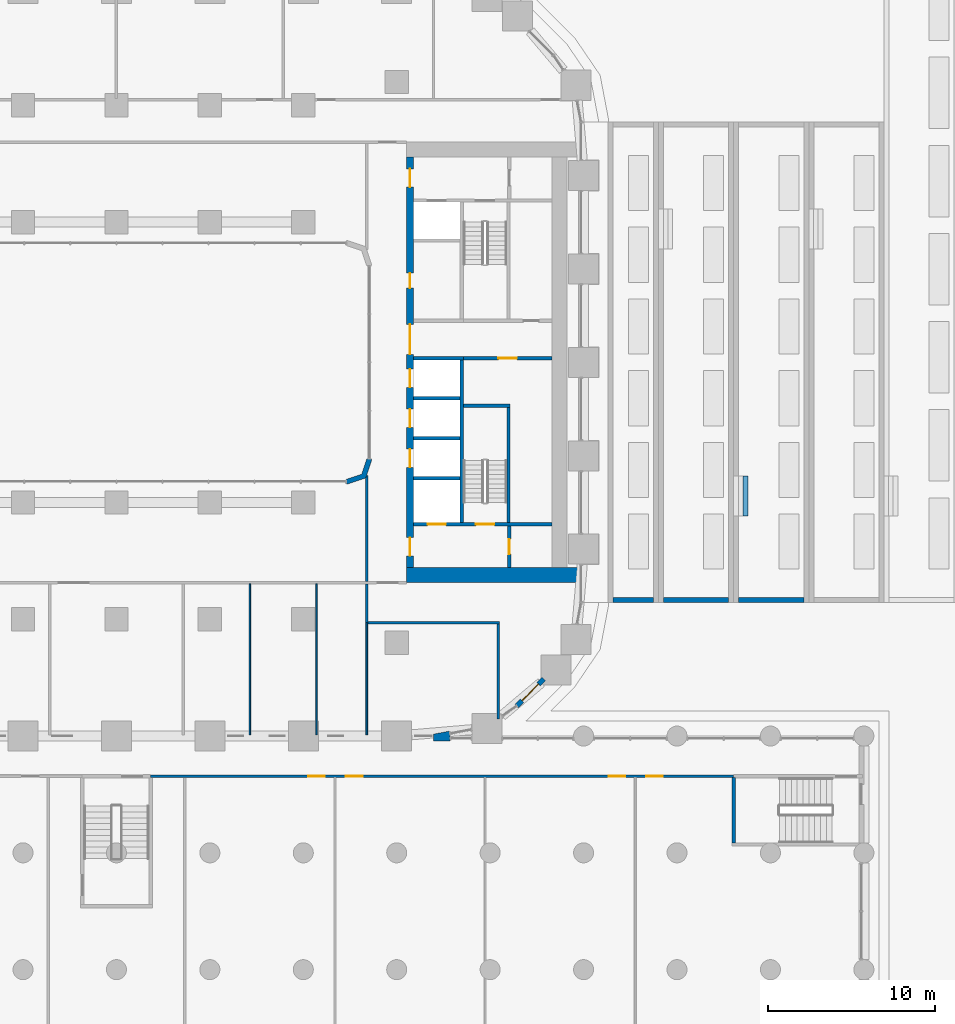
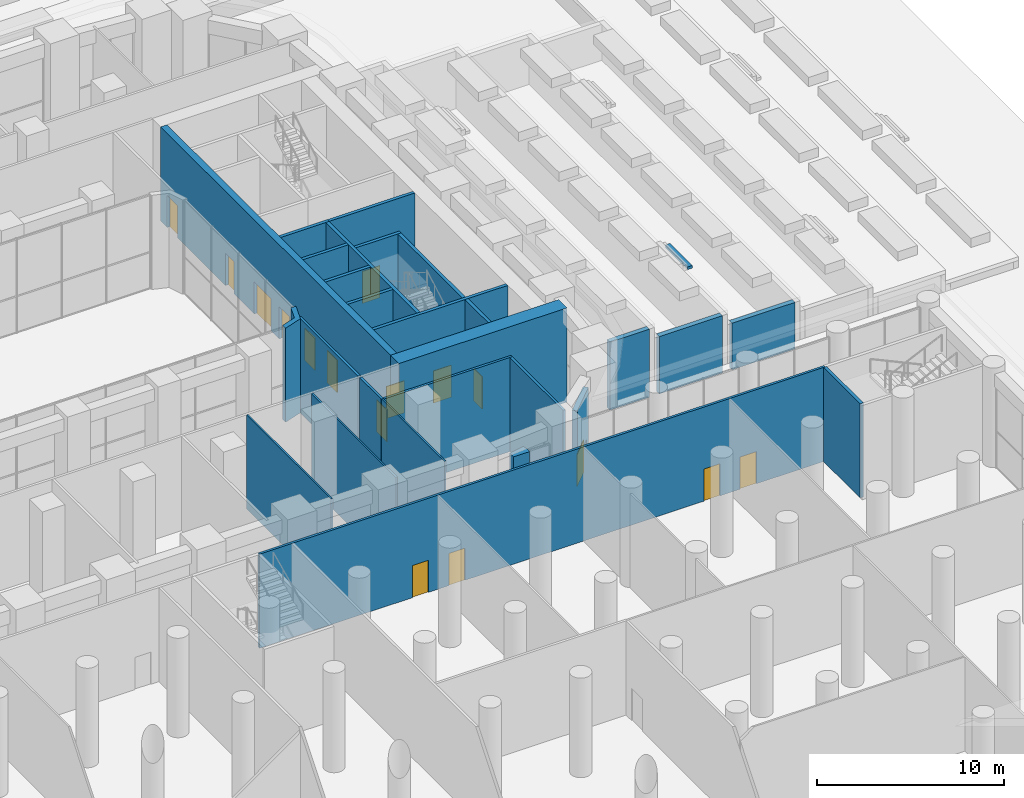
# One storey, part 37 of 51: 28 walls, 16 doors, 16 openings.
"""IFC4 building model written with IfcOpenShell, lengths in metres."""

from ifc_helpers import new_model, si_unit, direction, frame, frame_2d, origin, place, context, subcontext, project, spatial, polyline, rectangle, outline, extrude, material, layer, layer_set, type_object, element, fill, save


model = new_model("IFC4")

# Units and contexts
model_context = context("Model", 3, precision=1e-05, world=origin(), true_north=direction((0.0, 1.0)))
body_context = subcontext(model_context, "Body", "Model", "MODEL_VIEW")
ifc_project = project(units=[si_unit("LENGTHUNIT", "METRE"), si_unit("AREAUNIT", "SQUARE_METRE"), si_unit("VOLUMEUNIT", "CUBIC_METRE"), si_unit("PLANEANGLEUNIT", "RADIAN"), si_unit("MASSUNIT", "GRAM", prefix="KILO")], contexts=[model_context])

# Site, building, storey
site_placement = place(None, origin())
site = spatial("IfcSite", under=ifc_project, at=site_placement, CompositionType="ELEMENT")
building_placement = place(site_placement, origin())
building = spatial("IfcBuilding", under=site, at=building_placement, Name="Kiln Ring Residences", CompositionType="ELEMENT")
storey_placement = place(building_placement, origin())
storey = spatial("IfcBuildingStorey", under=building, at=storey_placement, Name="L00", CompositionType="ELEMENT", Elevation=0.0)

# Wall, opening, door
ifc_material_1 = material(Name="Gypsum board on steel studs", Category="steel")
ifc_layer_1 = layer(ifc_material_1, 0.199951171875)
ifc_layer_set_1 = layer_set([ifc_layer_1], Name="CORE-PARTITION-200")
wall_type_1 = type_object("IfcWallType", Name="CORE-PARTITION-200", PredefinedType="PARTITIONING", material=ifc_layer_set_1)
wall_1_placement = place(storey_placement, frame((20.800048828125, 0.25, 0.0), z_axis=(0.0, 0.0, 1.0), x_axis=(1.0, 0.0, 0.0)))
wall_1 = element("IfcWall", 1, at=wall_1_placement, inside=storey, type_object=wall_type_1, Name="Core partition east L00 1", PredefinedType="PARTITIONING", context=body_context, shape_type="SweptSolid", body=[
    extrude(rectangle(XDim=5.300048828125, YDim=0.199951171875, at=frame_2d((2.64990234375, 0.0))), origin(), (0.0, 0.0, 1.0), 6.14990234375),
])
opening_1_placement = place(wall_1_placement, frame((2.10009765625, 0.0, 0.0)))
opening_1 = element("IfcOpeningElement", 2, at=opening_1_placement, cuts=wall_1, Name="Opening L00-CE14", PredefinedType="OPENING", context=body_context, shape_type="SweptSolid", body=[
    extrude(rectangle(XDim=1.10009765625, YDim=2.10009765625, at=frame_2d((0.550048828125, 1.050048828125))), frame((0.0, 0.10986328125, 0.0), z_axis=(0.0, -1.0, 0.0), x_axis=(1.0, 0.0, 0.0)), (0.0, 0.0, 1.0), 0.219970703125),
])
ifc_material_2 = material(Name="Steel door leaf", Category="steel")
door_type_1 = type_object("IfcDoorType", Name="CORE-DOOR-ROOM", OperationType="SINGLE_SWING_LEFT", PredefinedType="DOOR", material=ifc_material_2)
door_1_placement = place(opening_1_placement, origin())
door_1 = element("IfcDoor", 3, at=door_1_placement, inside=storey, type_object=door_type_1, Name="Fire command and control room L00-CE14", OperationType="SINGLE_SWING_LEFT", OverallHeight=2.10009765625, OverallWidth=1.10009765625, PredefinedType="DOOR", context=body_context, shape_type="SweptSolid", body=[
    extrude(rectangle(XDim=1.10009765625, YDim=2.10009765625, at=frame_2d((0.550048828125, 1.050048828125))), frame((0.0, 0.02490234375, 0.0), z_axis=(0.0, -1.0, 0.0), x_axis=(1.0, 0.0, 0.0)), (0.0, 0.0, 1.0), 0.050048828125),
])
fill(opening_1, door_1)

wall_2_placement = place(storey_placement, frame((23.550048828125, -12.300048828125, 0.0), z_axis=(0.0, 0.0, 1.0), x_axis=(0.0, 1.0, 0.0)))
wall_2 = element("IfcWall", 4, at=wall_2_placement, inside=storey, type_object=wall_type_1, Name="Core partition east L00 3", PredefinedType="PARTITIONING", context=body_context, shape_type="SweptSolid", body=[
    extrude(rectangle(XDim=2.5, YDim=0.199951171875, at=frame_2d((1.25, 0.0))), origin(), (0.0, 0.0, 1.0), 6.14990234375),
])
opening_2_placement = place(wall_2_placement, frame((0.800048828125, 0.0, 0.0)))
opening_2 = element("IfcOpeningElement", 5, at=opening_2_placement, cuts=wall_2, Name="Opening L00-CE10", PredefinedType="OPENING", context=body_context, shape_type="SweptSolid", body=[
    extrude(rectangle(XDim=0.89990234375, YDim=2.10009765625, at=frame_2d((0.449951171875, 1.050048828125))), frame((0.0, 0.10986328125, 0.0), z_axis=(0.0, -1.0, 0.0), x_axis=(1.0, 0.0, 0.0)), (0.0, 0.0, 1.0), 0.219970703125),
])
door_2_placement = place(opening_2_placement, origin())
door_2 = element("IfcDoor", 6, at=door_2_placement, inside=storey, type_object=door_type_1, Name="Store L00-CE10", OperationType="SINGLE_SWING_LEFT", OverallHeight=2.10009765625, OverallWidth=0.89990234375, PredefinedType="DOOR", context=body_context, shape_type="SweptSolid", body=[
    extrude(rectangle(XDim=0.89990234375, YDim=2.10009765625, at=frame_2d((0.449951171875, 1.050048828125))), frame((0.0, 0.02490234375, 0.0), z_axis=(0.0, -1.0, 0.0), x_axis=(1.0, 0.0, 0.0)), (0.0, 0.0, 1.0), 0.050048828125),
])
fill(opening_2, door_2)

# Walls
ifc_material_3 = material(Name="Gypsum shaft wall system")
ifc_layer_2 = layer(ifc_material_3, 0.199951171875)
ifc_layer_set_2 = layer_set([ifc_layer_2], Name="CORE-SHAFT-WALL-200")
wall_type_2 = type_object("IfcWallType", Name="CORE-SHAFT-WALL-200", PredefinedType="PARTITIONING", material=ifc_layer_set_2)
for number, where, z_axis, x_axis, name in (
    (7, (17.800048828125, -6.949951171875, 0.0), (0.0, 0.0, 1.0), (1.0, 0.0, 0.0), "Core partition east L00 4"),
    (8, (17.800048828125, -4.550048828125, 0.0), (0.0, 0.0, 1.0), (1.0, 0.0, 0.0), "Core partition east L00 5"),
    (9, (17.800048828125, -2.14990234375, 0.0), (0.0, 0.0, 1.0), (1.0, 0.0, 0.0), "Core partition east L00 6"),
):
    element("IfcWall", number, at=place(storey_placement, frame(where, z_axis=z_axis, x_axis=x_axis)), inside=storey, type_object=wall_type_2, Name=name, PredefinedType="PARTITIONING", context=body_context, shape_type="SweptSolid", body=[
        extrude(rectangle(XDim=2.800048828125, YDim=0.199951171875, at=frame_2d((1.39990234375, 0.0))), origin(), (0.0, 0.0, 1.0), 6.14990234375),
    ])
wall_3_placement = place(storey_placement, frame((17.800048828125, 0.25, 0.0), z_axis=(0.0, 0.0, 1.0), x_axis=(1.0, 0.0, 0.0)))
element("IfcWall", 10, at=wall_3_placement, inside=storey, type_object=wall_type_2, Name="Core partition east L00 7", PredefinedType="PARTITIONING", context=body_context, shape_type="SweptSolid", body=[
    extrude(rectangle(XDim=3.0, YDim=0.199951171875, at=frame_2d((1.5, 0.0))), origin(), (0.0, 0.0, 1.0), 6.14990234375),
])
ifc_material_4 = material(Name="Concrete C40/50", Category="concrete")
ifc_layer_3 = layer(ifc_material_4, 0.199951171875)
ifc_layer_set_3 = layer_set([ifc_layer_3], Name="CORE-WALL-RC200")
wall_type_3 = type_object("IfcWallType", Name="CORE-WALL-RC200", PredefinedType="SHEAR", material=ifc_layer_set_3)
wall_4_placement = place(storey_placement, frame((20.699951171875, -9.60009765625, 0.0), z_axis=(0.0, 0.0, 1.0), x_axis=(0.0, 1.0, 0.0)))
element("IfcWall", 11, at=wall_4_placement, inside=storey, type_object=wall_type_3, Name="Core wall east L00 2", PredefinedType="SHEAR", context=body_context, shape_type="SweptSolid", body=[
    extrude(rectangle(XDim=9.75, YDim=0.199951171875, at=frame_2d((4.875, 0.0))), origin(), (0.0, 0.0, 1.0), 6.14990234375),
])

# Wall, openings, doors
wall_5_placement = place(storey_placement, frame((17.800048828125, -9.699951171875, 0.0), z_axis=(0.0, 0.0, 1.0), x_axis=(1.0, 0.0, 0.0)))
wall_5 = element("IfcWall", 12, at=wall_5_placement, inside=storey, type_object=wall_type_3, Name="Core wall east L00 8", PredefinedType="SHEAR", context=body_context, shape_type="SweptSolid", body=[
    extrude(rectangle(XDim=8.300048828125, YDim=0.199951171875, at=frame_2d((4.14990234375, 0.0))), origin(), (0.0, 0.0, 1.0), 6.14990234375),
])
opening_3_placement = place(wall_5_placement, frame((0.85009765625, 0.0, 0.0)))
opening_3 = element("IfcOpeningElement", 13, at=opening_3_placement, cuts=wall_5, Name="Opening L00-CE01", PredefinedType="OPENING", context=body_context, shape_type="SweptSolid", body=[
    extrude(rectangle(XDim=1.10009765625, YDim=2.10009765625, at=frame_2d((0.550048828125, 1.050048828125))), frame((0.0, 0.10986328125, 0.0), z_axis=(0.0, -1.0, 0.0), x_axis=(1.0, 0.0, 0.0)), (0.0, 0.0, 1.0), 0.219970703125),
])
opening_4_placement = place(wall_5_placement, frame((3.75, 0.0, 0.0)))
opening_4 = element("IfcOpeningElement", 14, at=opening_4_placement, cuts=wall_5, Name="Opening L00-CE12", PredefinedType="OPENING", context=body_context, shape_type="SweptSolid", body=[
    extrude(rectangle(XDim=1.10009765625, YDim=2.10009765625, at=frame_2d((0.550048828125, 1.050048828125))), frame((0.0, 0.10986328125, 0.0), z_axis=(0.0, -1.0, 0.0), x_axis=(1.0, 0.0, 0.0)), (0.0, 0.0, 1.0), 0.219970703125),
])
ifc_material_5 = material(Name="Steel door leaf", Category="steel")
door_type_2 = type_object("IfcDoorType", Name="CORE-DOOR-LD", OperationType="DOUBLE_DOOR_SLIDING", PredefinedType="DOOR", material=ifc_material_5)
door_3_placement = place(opening_3_placement, origin())
door_3 = element("IfcDoor", 15, at=door_3_placement, inside=storey, type_object=door_type_2, Name="LD E-SV L00-CE01", OperationType="DOUBLE_DOOR_SLIDING", OverallHeight=2.10009765625, OverallWidth=1.10009765625, PredefinedType="DOOR", context=body_context, shape_type="SweptSolid", body=[
    extrude(rectangle(XDim=1.10009765625, YDim=2.10009765625, at=frame_2d((0.550048828125, 1.050048828125))), frame((0.0, 0.02490234375, 0.0), z_axis=(0.0, -1.0, 0.0), x_axis=(1.0, 0.0, 0.0)), (0.0, 0.0, 1.0), 0.050048828125),
])
fill(opening_3, door_3)
ifc_material_6 = material(Name="Steel door leaf", Category="steel")
door_type_3 = type_object("IfcDoorType", Name="CORE-DOOR-STAIR", OperationType="SINGLE_SWING_LEFT", PredefinedType="DOOR", material=ifc_material_6)
door_4_placement = place(opening_4_placement, origin())
door_4 = element("IfcDoor", 16, at=door_4_placement, inside=storey, type_object=door_type_3, Name="Stair E-STS L00-CE12", OperationType="SINGLE_SWING_RIGHT", OverallHeight=2.10009765625, OverallWidth=1.10009765625, PredefinedType="DOOR", context=body_context, shape_type="SweptSolid", body=[
    extrude(rectangle(XDim=1.10009765625, YDim=2.10009765625, at=frame_2d((0.550048828125, 1.050048828125))), frame((0.0, 0.02490234375, 0.0), z_axis=(0.0, -1.0, 0.0), x_axis=(1.0, 0.0, 0.0)), (0.0, 0.0, 1.0), 0.050048828125),
])
fill(opening_4, door_4)

# Walls
wall_6_placement = place(storey_placement, frame((23.5, -9.60009765625, 0.0), z_axis=(0.0, 0.0, 1.0), x_axis=(0.0, 1.0, 0.0)))
element("IfcWall", 17, at=wall_6_placement, inside=storey, type_object=wall_type_3, Name="Core wall east L00 11", PredefinedType="SHEAR", context=body_context, shape_type="SweptSolid", body=[
    extrude(rectangle(XDim=6.900146484375, YDim=0.199951171875, at=frame_2d((3.4501953125, 0.0))), origin(), (0.0, 0.0, 1.0), 6.14990234375),
])
wall_7_placement = place(storey_placement, frame((20.800048828125, -2.60009765625, 0.0), z_axis=(0.0, 0.0, 1.0), x_axis=(1.0, 0.0, 0.0)))
element("IfcWall", 18, at=wall_7_placement, inside=storey, type_object=wall_type_3, Name="Core wall east L00 12", PredefinedType="SHEAR", context=body_context, shape_type="SweptSolid", body=[
    extrude(rectangle(XDim=2.800048828125, YDim=0.199951171875, at=frame_2d((1.39990234375, 0.0))), origin(), (0.0, 0.0, 1.0), 6.14990234375),
])

# Wall, openings, doors
ifc_material_7 = material(Name="Concrete C60/75", Category="concrete")
ifc_layer_4 = layer(ifc_material_7, 0.39990234375)
ifc_layer_set_4 = layer_set([ifc_layer_4], Name="CORE-WALL-RC400")
wall_type_4 = type_object("IfcWallType", Name="CORE-WALL-RC400", PredefinedType="SHEAR", material=ifc_layer_set_4)
wall_8_placement = place(storey_placement, frame((17.60009765625, -12.300048828125, 0.0), z_axis=(0.0, 0.0, 1.0), x_axis=(0.0, 1.0, 0.0)))
wall_8 = element("IfcWall", 19, at=wall_8_placement, inside=storey, type_object=wall_type_4, Name="Core wall east L00 6", PredefinedType="SHEAR", context=body_context, shape_type="SweptSolid", body=[
    extrude(rectangle(XDim=24.60009765625, YDim=0.39990234375, at=frame_2d((12.300048828125, 0.0))), origin(), (0.0, 0.0, 1.0), 6.14990234375),
])
opening_5_placement = place(wall_8_placement, frame((6.0, 0.0, 0.0)))
opening_5 = element("IfcOpeningElement", 20, at=opening_5_placement, cuts=wall_8, Name="Opening L00-CE02", PredefinedType="OPENING", context=body_context, shape_type="SweptSolid", body=[
    extrude(rectangle(XDim=1.10009765625, YDim=2.10009765625, at=frame_2d((0.550048828125, 1.050048828125))), frame((0.0, 0.2099609375, 0.0), z_axis=(0.0, -1.0, 0.0), x_axis=(1.0, 0.0, 0.0)), (0.0, 0.0, 1.0), 0.419921875),
])
opening_6_placement = place(wall_8_placement, frame((8.39990234375, 0.0, 0.0)))
opening_6 = element("IfcOpeningElement", 21, at=opening_6_placement, cuts=wall_8, Name="Opening L00-CE03", PredefinedType="OPENING", context=body_context, shape_type="SweptSolid", body=[
    extrude(rectangle(XDim=1.10009765625, YDim=2.10009765625, at=frame_2d((0.550048828125, 1.050048828125))), frame((0.0, 0.2099609375, 0.0), z_axis=(0.0, -1.0, 0.0), x_axis=(1.0, 0.0, 0.0)), (0.0, 0.0, 1.0), 0.419921875),
])
opening_7_placement = place(wall_8_placement, frame((10.800048828125, 0.0, 0.0)))
opening_7 = element("IfcOpeningElement", 22, at=opening_7_placement, cuts=wall_8, Name="Opening L00-CE04", PredefinedType="OPENING", context=body_context, shape_type="SweptSolid", body=[
    extrude(rectangle(XDim=1.10009765625, YDim=2.10009765625, at=frame_2d((0.550048828125, 1.050048828125))), frame((0.0, 0.2099609375, 0.0), z_axis=(0.0, -1.0, 0.0), x_axis=(1.0, 0.0, 0.0)), (0.0, 0.0, 1.0), 0.419921875),
])
opening_8_placement = place(wall_8_placement, frame((16.75, 0.0, 0.0)))
opening_8 = element("IfcOpeningElement", 23, at=opening_8_placement, cuts=wall_8, Name="Opening L00-CE05", PredefinedType="OPENING", context=body_context, shape_type="SweptSolid", body=[
    extrude(rectangle(XDim=0.89990234375, YDim=2.10009765625, at=frame_2d((0.449951171875, 1.050048828125))), frame((0.0, 0.2099609375, 0.0), z_axis=(0.0, -1.0, 0.0), x_axis=(1.0, 0.0, 0.0)), (0.0, 0.0, 1.0), 0.419921875),
])
opening_9_placement = place(wall_8_placement, frame((22.800048828125, 0.0, 0.0)))
opening_9 = element("IfcOpeningElement", 24, at=opening_9_placement, cuts=wall_8, Name="Opening L00-CE07", PredefinedType="OPENING", context=body_context, shape_type="SweptSolid", body=[
    extrude(rectangle(XDim=1.10009765625, YDim=2.10009765625, at=frame_2d((0.550048828125, 1.050048828125))), frame((0.0, 0.2099609375, 0.0), z_axis=(0.0, -1.0, 0.0), x_axis=(1.0, 0.0, 0.0)), (0.0, 0.0, 1.0), 0.419921875),
])
opening_10_placement = place(wall_8_placement, frame((0.699951171875, 0.0, 0.0)))
opening_10 = element("IfcOpeningElement", 25, at=opening_10_placement, cuts=wall_8, Name="Opening L00-CE08", PredefinedType="OPENING", context=body_context, shape_type="SweptSolid", body=[
    extrude(rectangle(XDim=1.10009765625, YDim=2.10009765625, at=frame_2d((0.550048828125, 1.050048828125))), frame((0.0, 0.2099609375, 0.0), z_axis=(0.0, -1.0, 0.0), x_axis=(1.0, 0.0, 0.0)), (0.0, 0.0, 1.0), 0.419921875),
])
opening_11_placement = place(wall_8_placement, frame((12.77490234375, 0.0, 0.0)))
opening_11 = element("IfcOpeningElement", 26, at=opening_11_placement, cuts=wall_8, Name="Opening L00-CE13", PredefinedType="OPENING", context=body_context, shape_type="SweptSolid", body=[
    extrude(rectangle(XDim=1.800048828125, YDim=2.10009765625, at=frame_2d((0.89990234375, 1.050048828125))), frame((0.0, 0.2099609375, 0.0), z_axis=(0.0, -1.0, 0.0), x_axis=(1.0, 0.0, 0.0)), (0.0, 0.0, 1.0), 0.419921875),
])
door_5_placement = place(opening_5_placement, origin())
door_5 = element("IfcDoor", 27, at=door_5_placement, inside=storey, type_object=door_type_2, Name="LD E-L1 L00-CE02", OperationType="DOUBLE_DOOR_SLIDING", OverallHeight=2.10009765625, OverallWidth=1.10009765625, PredefinedType="DOOR", context=body_context, shape_type="SweptSolid", body=[
    extrude(rectangle(XDim=1.10009765625, YDim=2.10009765625, at=frame_2d((0.550048828125, 1.050048828125))), frame((0.0, 0.02490234375, 0.0), z_axis=(0.0, -1.0, 0.0), x_axis=(1.0, 0.0, 0.0)), (0.0, 0.0, 1.0), 0.050048828125),
])
fill(opening_5, door_5)
door_6_placement = place(opening_6_placement, origin())
door_6 = element("IfcDoor", 28, at=door_6_placement, inside=storey, type_object=door_type_2, Name="LD E-L2 L00-CE03", OperationType="DOUBLE_DOOR_SLIDING", OverallHeight=2.10009765625, OverallWidth=1.10009765625, PredefinedType="DOOR", context=body_context, shape_type="SweptSolid", body=[
    extrude(rectangle(XDim=1.10009765625, YDim=2.10009765625, at=frame_2d((0.550048828125, 1.050048828125))), frame((0.0, 0.02490234375, 0.0), z_axis=(0.0, -1.0, 0.0), x_axis=(1.0, 0.0, 0.0)), (0.0, 0.0, 1.0), 0.050048828125),
])
fill(opening_6, door_6)
door_7_placement = place(opening_7_placement, origin())
door_7 = element("IfcDoor", 29, at=door_7_placement, inside=storey, type_object=door_type_2, Name="LD E-L3 L00-CE04", OperationType="DOUBLE_DOOR_SLIDING", OverallHeight=2.10009765625, OverallWidth=1.10009765625, PredefinedType="DOOR", context=body_context, shape_type="SweptSolid", body=[
    extrude(rectangle(XDim=1.10009765625, YDim=2.10009765625, at=frame_2d((0.550048828125, 1.050048828125))), frame((0.0, 0.02490234375, 0.0), z_axis=(0.0, -1.0, 0.0), x_axis=(1.0, 0.0, 0.0)), (0.0, 0.0, 1.0), 0.050048828125),
])
fill(opening_7, door_7)
ifc_material_8 = material(Name="Steel door leaf", Category="steel")
door_type_4 = type_object("IfcDoorType", Name="CORE-DOOR-LOBBY", OperationType="SINGLE_SWING_LEFT", PredefinedType="DOOR", material=ifc_material_8)
door_8_placement = place(opening_9_placement, origin())
door_8 = element("IfcDoor", 30, at=door_8_placement, inside=storey, type_object=door_type_4, Name="FFL L00-CE07", OperationType="SINGLE_SWING_LEFT", OverallHeight=2.10009765625, OverallWidth=1.10009765625, PredefinedType="DOOR", context=body_context, shape_type="SweptSolid", body=[
    extrude(rectangle(XDim=1.10009765625, YDim=2.10009765625, at=frame_2d((0.550048828125, 1.050048828125))), frame((0.0, 0.02490234375, 0.0), z_axis=(0.0, -1.0, 0.0), x_axis=(1.0, 0.0, 0.0)), (0.0, 0.0, 1.0), 0.050048828125),
])
fill(opening_9, door_8)
door_9_placement = place(opening_10_placement, origin())
door_9 = element("IfcDoor", 31, at=door_9_placement, inside=storey, type_object=door_type_4, Name="SVL L00-CE08", OperationType="SINGLE_SWING_RIGHT", OverallHeight=2.10009765625, OverallWidth=1.10009765625, PredefinedType="DOOR", context=body_context, shape_type="SweptSolid", body=[
    extrude(rectangle(XDim=1.10009765625, YDim=2.10009765625, at=frame_2d((0.550048828125, 1.050048828125))), frame((0.0, 0.02490234375, 0.0), z_axis=(0.0, -1.0, 0.0), x_axis=(1.0, 0.0, 0.0)), (0.0, 0.0, 1.0), 0.050048828125),
])
fill(opening_10, door_9)
ifc_material_9 = material(Name="Steel door leaf", Category="steel")
door_type_5 = type_object("IfcDoorType", Name="CORE-DOOR-PASS", OperationType="DOUBLE_DOOR_SINGLE_SWING", PredefinedType="DOOR", material=ifc_material_9)
door_10_placement = place(opening_11_placement, origin())
door_10 = element("IfcDoor", 32, at=door_10_placement, inside=storey, type_object=door_type_5, Name="Core passage L00-CE13", OperationType="DOUBLE_DOOR_SINGLE_SWING", OverallHeight=2.10009765625, OverallWidth=1.800048828125, PredefinedType="DOOR", context=body_context, shape_type="SweptSolid", body=[
    extrude(rectangle(XDim=1.800048828125, YDim=2.10009765625, at=frame_2d((0.89990234375, 1.050048828125))), frame((0.0, 0.02490234375, 0.0), z_axis=(0.0, -1.0, 0.0), x_axis=(1.0, 0.0, 0.0)), (0.0, 0.0, 1.0), 0.050048828125),
])
fill(opening_11, door_10)
door_11_placement = place(opening_8_placement, origin())
door_11 = element("IfcDoor", 33, at=door_11_placement, inside=storey, type_object=door_type_1, Name="Goods store L00-CE05", OperationType="SINGLE_SWING_RIGHT", OverallHeight=2.10009765625, OverallWidth=0.89990234375, PredefinedType="DOOR", context=body_context, shape_type="SweptSolid", body=[
    extrude(rectangle(XDim=0.89990234375, YDim=2.10009765625, at=frame_2d((0.449951171875, 1.050048828125))), frame((0.0, 0.02490234375, 0.0), z_axis=(0.0, -1.0, 0.0), x_axis=(1.0, 0.0, 0.0)), (0.0, 0.0, 1.0), 0.050048828125),
])
fill(opening_8, door_11)

# Wall
ifc_material_10 = material(Name="Concrete C60/75", Category="concrete")
ifc_layer_5 = layer(ifc_material_10, 0.89990234375)
ifc_layer_set_5 = layer_set([ifc_layer_5], Name="CORE-WALL-RC900")
wall_type_5 = type_object("IfcWallType", Name="CORE-WALL-RC900", PredefinedType="SHEAR", material=ifc_layer_set_5)
wall_9_placement = place(storey_placement, frame((17.39990234375, -12.75, 0.0), z_axis=(0.0, 0.0, 1.0), x_axis=(1.0, 0.0, 0.0)))
element("IfcWall", 34, at=wall_9_placement, inside=storey, type_object=wall_type_5, Name="Core wall east L00 5", PredefinedType="SHEAR", context=body_context, shape_type="SweptSolid", body=[
    extrude(rectangle(XDim=10.400146484375, YDim=0.89990234375, at=frame_2d((5.2001953125, 0.0))), origin(), (0.0, 0.0, 1.0), 6.14990234375),
])

# Wall, opening, door
ifc_material_11 = material(Name="Brick masonry, dark clay brick", Category="masonry")
ifc_layer_6 = layer(ifc_material_11, 0.300048828125)
ifc_layer_set_6 = layer_set([ifc_layer_6], Name="EW-300 BRICK WALL")
wall_type_6 = type_object("IfcWallType", Name="EW-300 BRICK WALL", PredefinedType="SOLIDWALL", material=ifc_layer_set_6)
wall_10_placement = place(storey_placement, frame((25.617431640625, -18.970458984375, 0.0), z_axis=(0.0, 0.0, 1.0), x_axis=(-0.707106781187, -0.707106781187, 0.0)))
wall_10 = element("IfcWall", 35, at=wall_10_placement, inside=storey, type_object=wall_type_6, Name="Facade wall L00 2", PredefinedType="SOLIDWALL", context=body_context, shape_type="SweptSolid", body=[
    extrude(rectangle(XDim=2.300048828125, YDim=0.300048828125, at=frame_2d((1.14990234375, 0.0))), origin(), (0.0, 0.0, 1.0), 5.25),
])
opening_12_placement = place(wall_10_placement, frame((0.449951171875, 0.0, 0.0)))
opening_12 = element("IfcOpeningElement", 36, at=opening_12_placement, cuts=wall_10, Name="Opening EL00-2", PredefinedType="OPENING", context=body_context, shape_type="SweptSolid", body=[
    extrude(rectangle(XDim=1.39990234375, YDim=2.10009765625, at=frame_2d((0.699951171875, 1.050048828125))), frame((0.0, 0.159912109375, 0.0), z_axis=(0.0, -1.0, 0.0), x_axis=(1.0, 0.0, 0.0)), (0.0, 0.0, 1.0), 0.320068359375),
])
ifc_material_12 = material(Name="Steel, galvanised", Category="steel")
door_type_6 = type_object("IfcDoorType", Name="EXIT DOOR 1400 x 2100", OperationType="SINGLE_SWING_LEFT", PredefinedType="DOOR", material=ifc_material_12)
door_12_placement = place(opening_12_placement, origin())
door_12 = element("IfcDoor", 37, at=door_12_placement, inside=storey, type_object=door_type_6, Name="Exit door EL00-2", OperationType="SINGLE_SWING_LEFT", OverallHeight=2.10009765625, OverallWidth=1.39990234375, PredefinedType="DOOR", context=body_context, shape_type="SweptSolid", body=[
    extrude(rectangle(XDim=1.39990234375, YDim=2.10009765625, at=frame_2d((0.699951171875, 1.050048828125))), frame((0.0, 0.02490234375, 0.0), z_axis=(0.0, -1.0, 0.0), x_axis=(1.0, 0.0, 0.0)), (0.0, 0.0, 1.0), 0.050048828125),
])
fill(opening_12, door_12)

# Walls
placement = place(storey_placement, origin())
element("IfcWall", 38, at=placement, inside=storey, type_object=wall_type_6, Name="Corner wall L00 1", PredefinedType="SOLIDWALL", context=body_context, shape_type="SweptSolid", body=[
    extrude(outline(polyline([(19.94384765625, -22.105224609375), (19.0009765625, -22.28515625), (19.0009765625, -22.699951171875), (20.0, -22.699951171875), (20.0, -22.39990234375), (19.94384765625, -22.105224609375)])), origin(), (0.0, 0.0, 1.0), 5.25),
])
element("IfcWall", 39, at=placement, inside=storey, type_object=wall_type_6, Name="Corner wall L00 5", PredefinedType="SOLIDWALL", context=body_context, shape_type="SweptSolid", body=[
    extrude(outline(polyline([(14.937255859375, -6.937255859375), (15.300048828125, -5.8486328125), (15.300048828125, -5.800048828125), (15.0, -5.800048828125), (14.699951171875, -6.699951171875), (13.800048828125, -7.0), (13.800048828125, -7.300048828125), (13.8486328125, -7.300048828125), (14.937255859375, -6.937255859375)])), origin(), (0.0, 0.0, 1.0), 6.14990234375),
])
ifc_material_13 = material(Name="Gypsum board on steel studs", Category="steel")
ifc_layer_7 = layer(ifc_material_13, 0.10009765625)
ifc_layer_set_7 = layer_set([ifc_layer_7], Name="PARTITION-100")
wall_type_7 = type_object("IfcWallType", Name="PARTITION-100", PredefinedType="PARTITIONING", material=ifc_layer_set_7)
for number, where, z_axis, x_axis, name in (
    (40, (8.0, -22.324951171875, 0.0), (0.0, 0.0, 1.0), (0.0, 1.0, 0.0), "Partition 036"),
    (41, (12.0, -22.324951171875, 0.0), (0.0, 0.0, 1.0), (0.0, 1.0, 0.0), "Partition 038"),
):
    element("IfcWall", number, at=place(storey_placement, frame(where, z_axis=z_axis, x_axis=x_axis)), inside=storey, type_object=wall_type_7, Name=name, PredefinedType="PARTITIONING", context=body_context, shape_type="SweptSolid", body=[
        extrude(rectangle(XDim=9.050048828125, YDim=0.10009765625, at=frame_2d((4.52490234375, 0.0))), origin(), (0.0, 0.0, 1.0), 6.14990234375),
    ])
wall_13_placement = place(storey_placement, frame((15.0, -22.324951171875, 0.0), z_axis=(0.0, 0.0, 1.0), x_axis=(0.0, 1.0, 0.0)))
element("IfcWall", 42, at=wall_13_placement, inside=storey, type_object=wall_type_7, Name="Partition 040", PredefinedType="PARTITIONING", context=body_context, shape_type="SweptSolid", body=[
    extrude(rectangle(XDim=6.724853515625, YDim=0.10009765625, at=frame_2d((3.3623046875, 0.0))), origin(), (0.0, 0.0, 1.0), 6.14990234375),
])

# Wall, openings, doors
ifc_material_14 = material(Name="Brick masonry partition", Category="masonry")
ifc_layer_8 = layer(ifc_material_14, 0.14990234375)
ifc_layer_set_8 = layer_set([ifc_layer_8], Name="PARTITION-150-ei60")
wall_type_8 = type_object("IfcWallType", Name="PARTITION-150-ei60", PredefinedType="PARTITIONING", material=ifc_layer_set_8)
wall_14_placement = place(storey_placement, frame((2.050048828125, -24.800048828125, 0.0), z_axis=(0.0, 0.0, 1.0), x_axis=(1.0, 0.0, 0.0)))
wall_14 = element("IfcWall", 43, at=wall_14_placement, inside=storey, type_object=wall_type_8, Name="Partition 008", PredefinedType="PARTITIONING", context=body_context, shape_type="SweptSolid", body=[
    extrude(rectangle(XDim=34.949951171875, YDim=0.14990234375, at=frame_2d((17.47509765625, 0.0))), origin(), (0.0, 0.0, 1.0), 6.14990234375),
])
opening_13_placement = place(wall_14_placement, frame((9.449951171875, 0.0, 0.0)))
opening_13 = element("IfcOpeningElement", 44, at=opening_13_placement, cuts=wall_14, Name="Opening L00-D018", PredefinedType="OPENING", context=body_context, shape_type="SweptSolid", body=[
    extrude(rectangle(XDim=1.0, YDim=2.10009765625, at=frame_2d((0.5, 1.050048828125))), frame((0.0, 0.0849609375, 0.0), z_axis=(0.0, -1.0, 0.0), x_axis=(1.0, 0.0, 0.0)), (0.0, 0.0, 1.0), 0.169921875),
])
opening_14_placement = place(wall_14_placement, frame((11.699951171875, 0.0, 0.0)))
opening_14 = element("IfcOpeningElement", 45, at=opening_14_placement, cuts=wall_14, Name="Opening L00-D019", PredefinedType="OPENING", context=body_context, shape_type="SweptSolid", body=[
    extrude(rectangle(XDim=1.0, YDim=2.10009765625, at=frame_2d((0.5, 1.050048828125))), frame((0.0, 0.0849609375, 0.0), z_axis=(0.0, -1.0, 0.0), x_axis=(1.0, 0.0, 0.0)), (0.0, 0.0, 1.0), 0.169921875),
])
opening_15_placement = place(wall_14_placement, frame((27.449951171875, 0.0, 0.0)))
opening_15 = element("IfcOpeningElement", 46, at=opening_15_placement, cuts=wall_14, Name="Opening L00-D020", PredefinedType="OPENING", context=body_context, shape_type="SweptSolid", body=[
    extrude(rectangle(XDim=1.0, YDim=2.10009765625, at=frame_2d((0.5, 1.050048828125))), frame((0.0, 0.0849609375, 0.0), z_axis=(0.0, -1.0, 0.0), x_axis=(1.0, 0.0, 0.0)), (0.0, 0.0, 1.0), 0.169921875),
])
opening_16_placement = place(wall_14_placement, frame((29.699951171875, 0.0, 0.0)))
opening_16 = element("IfcOpeningElement", 47, at=opening_16_placement, cuts=wall_14, Name="Opening L00-D021", PredefinedType="OPENING", context=body_context, shape_type="SweptSolid", body=[
    extrude(rectangle(XDim=1.0, YDim=2.10009765625, at=frame_2d((0.5, 1.050048828125))), frame((0.0, 0.0849609375, 0.0), z_axis=(0.0, -1.0, 0.0), x_axis=(1.0, 0.0, 0.0)), (0.0, 0.0, 1.0), 0.169921875),
])
ifc_material_15 = material(Name="Steel faced fire door leaf", Category="steel")
door_type_7 = type_object("IfcDoorType", Name="FLAT-DOOR-1000-FR", OperationType="SINGLE_SWING_LEFT", PredefinedType="DOOR", material=ifc_material_15)
door_13_placement = place(opening_13_placement, origin())
door_13 = element("IfcDoor", 48, at=door_13_placement, inside=storey, type_object=door_type_7, Name="Door L00-D018", OperationType="SINGLE_SWING_RIGHT", OverallHeight=2.10009765625, OverallWidth=1.0, PredefinedType="DOOR", context=body_context, shape_type="SweptSolid", body=[
    extrude(rectangle(XDim=1.0, YDim=2.10009765625, at=frame_2d((0.5, 1.050048828125))), frame((0.0, 0.02490234375, 0.0), z_axis=(0.0, -1.0, 0.0), x_axis=(1.0, 0.0, 0.0)), (0.0, 0.0, 1.0), 0.050048828125),
])
fill(opening_13, door_13)
door_14_placement = place(opening_14_placement, origin())
door_14 = element("IfcDoor", 49, at=door_14_placement, inside=storey, type_object=door_type_7, Name="Door L00-D019", OperationType="SINGLE_SWING_LEFT", OverallHeight=2.10009765625, OverallWidth=1.0, PredefinedType="DOOR", context=body_context, shape_type="SweptSolid", body=[
    extrude(rectangle(XDim=1.0, YDim=2.10009765625, at=frame_2d((0.5, 1.050048828125))), frame((0.0, 0.02490234375, 0.0), z_axis=(0.0, -1.0, 0.0), x_axis=(1.0, 0.0, 0.0)), (0.0, 0.0, 1.0), 0.050048828125),
])
fill(opening_14, door_14)
door_15_placement = place(opening_15_placement, origin())
door_15 = element("IfcDoor", 50, at=door_15_placement, inside=storey, type_object=door_type_7, Name="Door L00-D020", OperationType="SINGLE_SWING_RIGHT", OverallHeight=2.10009765625, OverallWidth=1.0, PredefinedType="DOOR", context=body_context, shape_type="SweptSolid", body=[
    extrude(rectangle(XDim=1.0, YDim=2.10009765625, at=frame_2d((0.5, 1.050048828125))), frame((0.0, 0.02490234375, 0.0), z_axis=(0.0, -1.0, 0.0), x_axis=(1.0, 0.0, 0.0)), (0.0, 0.0, 1.0), 0.050048828125),
])
fill(opening_15, door_15)
door_16_placement = place(opening_16_placement, origin())
door_16 = element("IfcDoor", 51, at=door_16_placement, inside=storey, type_object=door_type_7, Name="Door L00-D021", OperationType="SINGLE_SWING_LEFT", OverallHeight=2.10009765625, OverallWidth=1.0, PredefinedType="DOOR", context=body_context, shape_type="SweptSolid", body=[
    extrude(rectangle(XDim=1.0, YDim=2.10009765625, at=frame_2d((0.5, 1.050048828125))), frame((0.0, 0.02490234375, 0.0), z_axis=(0.0, -1.0, 0.0), x_axis=(1.0, 0.0, 0.0)), (0.0, 0.0, 1.0), 0.050048828125),
])
fill(opening_16, door_16)

# Walls
wall_15_placement = place(storey_placement, frame((15.050048828125, -15.60009765625, 0.0), z_axis=(0.0, 0.0, 1.0), x_axis=(1.0, 0.0, 0.0)))
element("IfcWall", 52, at=wall_15_placement, inside=storey, type_object=wall_type_8, Name="Partition 014", PredefinedType="PARTITIONING", context=body_context, shape_type="SweptSolid", body=[
    extrude(rectangle(XDim=7.925048828125, YDim=0.14990234375, at=frame_2d((3.96240234375, 0.0))), origin(), (0.0, 0.0, 1.0), 6.14990234375),
])
wall_16_placement = place(storey_placement, frame((15.0, -15.60009765625, 0.0), z_axis=(0.0, 0.0, 1.0), x_axis=(0.0, 1.0, 0.0)))
element("IfcWall", 53, at=wall_16_placement, inside=storey, type_object=wall_type_8, Name="Partition 041", PredefinedType="PARTITIONING", context=body_context, shape_type="SweptSolid", body=[
    extrude(rectangle(XDim=2.3251953125, YDim=0.14990234375, at=frame_2d((1.16259765625, 0.0))), origin(), (0.0, 0.0, 1.0), 6.14990234375),
])
wall_17_placement = place(storey_placement, frame((15.0, -13.125, 0.0), z_axis=(0.0, 0.0, 1.0), x_axis=(0.0, 1.0, 0.0)))
element("IfcWall", 54, at=wall_17_placement, inside=storey, type_object=wall_type_8, Name="Partition 042", PredefinedType="PARTITIONING", context=body_context, shape_type="SweptSolid", body=[
    extrude(rectangle(XDim=6.356201171875, YDim=0.14990234375, at=frame_2d((3.17822265625, 0.0))), origin(), (0.0, 0.0, 1.0), 6.14990234375),
])
wall_18_placement = place(storey_placement, frame((22.89990234375, -21.3701171875, 0.0), z_axis=(0.0, 0.0, 1.0), x_axis=(0.0, 1.0, 0.0)))
element("IfcWall", 55, at=wall_18_placement, inside=storey, type_object=wall_type_8, Name="Partition 047", PredefinedType="PARTITIONING", context=body_context, shape_type="SweptSolid", body=[
    extrude(rectangle(XDim=5.695068359375, YDim=0.14990234375, at=frame_2d((2.84765625, 0.0))), origin(), (0.0, 0.0, 1.0), 6.14990234375),
])
ifc_material_16 = material(Name="Concrete C40/50", Category="concrete")
ifc_layer_9 = layer(ifc_material_16, 0.199951171875)
ifc_layer_set_9 = layer_set([ifc_layer_9], Name="PODIUM-STAIR-WALL-200")
wall_type_9 = type_object("IfcWallType", Name="PODIUM-STAIR-WALL-200", PredefinedType="SHEAR", material=ifc_layer_set_9)
wall_19_placement = place(storey_placement, frame((37.0, -28.800048828125, 0.0), z_axis=(0.0, 0.0, 1.0), x_axis=(0.0, 1.0, 0.0)))
element("IfcWall", 56, at=wall_19_placement, inside=storey, type_object=wall_type_9, Name="Stair wall 050", PredefinedType="SHEAR", context=body_context, shape_type="SweptSolid", body=[
    extrude(rectangle(XDim=3.925048828125, YDim=0.199951171875, at=frame_2d((1.96240234375, 0.0))), origin(), (0.0, 0.0, 1.0), 6.14990234375),
])
ifc_material_17 = material(Name="Concrete C35/45", Category="concrete")
ifc_layer_10 = layer(ifc_material_17, 0.300048828125)
ifc_layer_set_10 = layer_set([ifc_layer_10], Name="TERRACE RETAINING WALL 300")
wall_type_10 = type_object("IfcWallType", Name="TERRACE RETAINING WALL 300", PredefinedType="SOLIDWALL", material=ifc_layer_set_10)
wall_20_placement = place(storey_placement, frame((29.75, -14.25, -0.5), z_axis=(0.0, 0.0, 1.0), x_axis=(1.0, 0.0, 0.0)))
element("IfcWall", 57, at=wall_20_placement, inside=storey, type_object=wall_type_10, Name="Terrace end wall E1 s", PredefinedType="SOLIDWALL", context=body_context, shape_type="SweptSolid", body=[
    extrude(rectangle(XDim=2.449951171875, YDim=0.300048828125, at=frame_2d((1.22509765625, 0.0))), origin(), (0.0, 0.0, 1.0), 4.449951171875),
])
wall_21_placement = place(storey_placement, frame((32.800048828125, -14.25, -0.5), z_axis=(0.0, 0.0, 1.0), x_axis=(1.0, 0.0, 0.0)))
element("IfcWall", 58, at=wall_21_placement, inside=storey, type_object=wall_type_10, Name="Terrace end wall E2 s", PredefinedType="SOLIDWALL", context=body_context, shape_type="SweptSolid", body=[
    extrude(rectangle(XDim=3.89990234375, YDim=0.300048828125, at=frame_2d((1.949951171875, 0.0))), origin(), (0.0, 0.0, 1.0), 3.75),
])
wall_22_placement = place(storey_placement, frame((37.300048828125, -14.25, -0.5), z_axis=(0.0, 0.0, 1.0), x_axis=(1.0, 0.0, 0.0)))
element("IfcWall", 59, at=wall_22_placement, inside=storey, type_object=wall_type_10, Name="Terrace end wall E3 s", PredefinedType="SOLIDWALL", context=body_context, shape_type="SweptSolid", body=[
    extrude(rectangle(XDim=3.89990234375, YDim=0.300048828125, at=frame_2d((1.949951171875, 0.0))), origin(), (0.0, 0.0, 1.0), 3.050048828125),
])
ifc_material_18 = material(Name="Concrete C35/45", Category="concrete")
ifc_layer_11 = layer(ifc_material_18, 0.280029296875)
ifc_layer_set_11 = layer_set([ifc_layer_11], Name="TERRACE STEP 280")
wall_type_11 = type_object("IfcWallType", Name="TERRACE STEP 280", PredefinedType="SOLIDWALL", material=ifc_layer_set_11)
wall_23_placement = place(storey_placement, frame((37.699951171875, -9.199951171875, 2.800048828125), z_axis=(0.0, 0.0, 1.0), x_axis=(0.0, 1.0, 0.0)))
element("IfcWall", 60, at=wall_23_placement, inside=storey, type_object=wall_type_11, Name="Terrace step E2-1", PredefinedType="SOLIDWALL", context=body_context, shape_type="SweptSolid", body=[
    extrude(rectangle(XDim=2.39990234375, YDim=0.280029296875, at=frame_2d((1.199951171875, 0.0))), origin(), (0.0, 0.0, 1.0), 0.175048828125),
])

save(model, "model.ifc")
